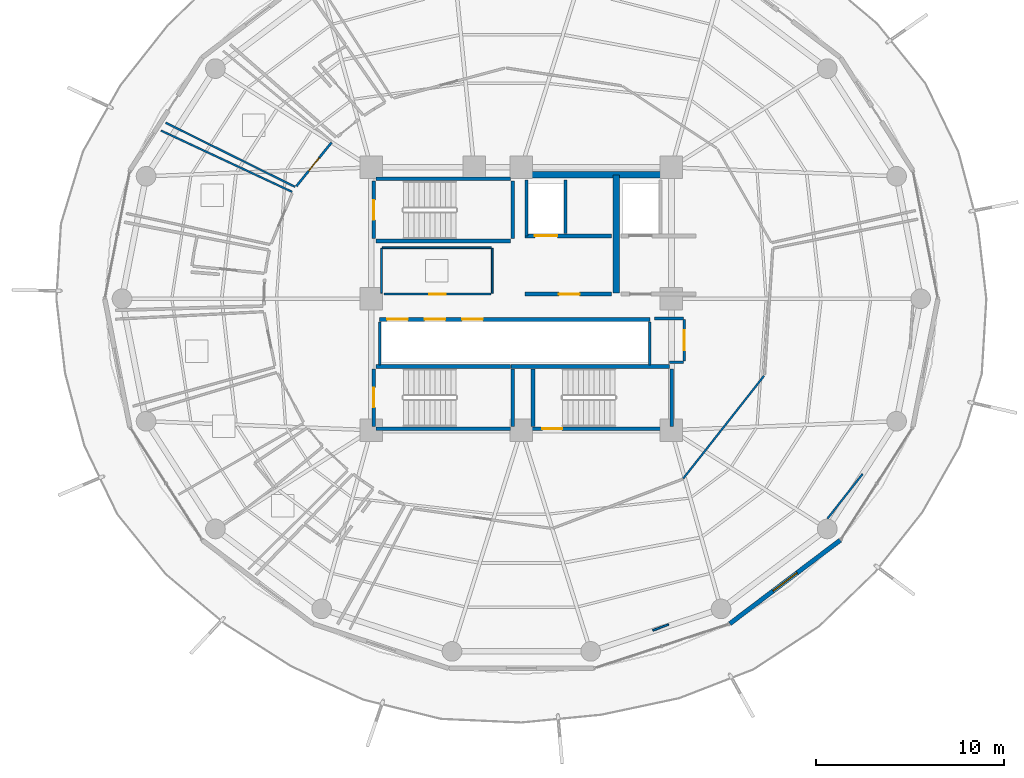
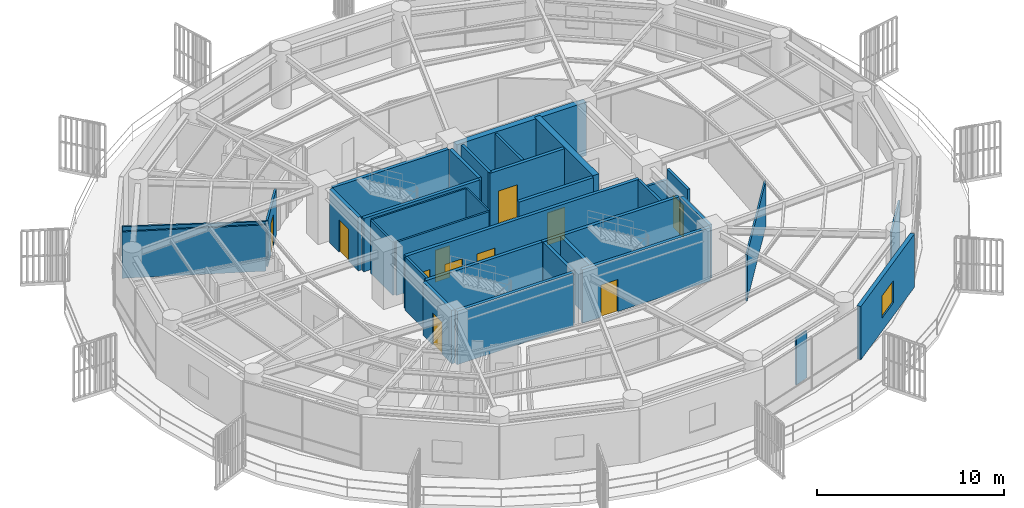
# One storey, part 24 of 30: 35 walls, 11 doors, 1 window, 12 openings.
"""IFC4 building model written with IfcOpenShell, lengths in metres."""

from ifc_helpers import new_model, si_unit, direction, frame, frame_2d, origin, place, context, subcontext, project, spatial, rectangle, extrude, material, layer, layer_set, type_object, element, fill, save


model = new_model("IFC4")

# Units and contexts
model_context = context("Model", 3, precision=1e-05, world=origin(), true_north=direction((0.0, 1.0)))
body_context = subcontext(model_context, "Body", "Model", "MODEL_VIEW")
ifc_project = project(units=[si_unit("LENGTHUNIT", "METRE"), si_unit("AREAUNIT", "SQUARE_METRE"), si_unit("VOLUMEUNIT", "CUBIC_METRE"), si_unit("PLANEANGLEUNIT", "RADIAN"), si_unit("MASSUNIT", "GRAM", prefix="KILO")], contexts=[model_context])

# Site, building, storey
site_placement = place(None, origin())
site = spatial("IfcSite", under=ifc_project, at=site_placement, CompositionType="ELEMENT")
building_placement = place(site_placement, origin())
building = spatial("IfcBuilding", under=site, at=building_placement, Name="Kelanora Arch Commons", CompositionType="ELEMENT")
storey_placement = place(building_placement, frame((0.0, 0.0, 204.449951171875)))
storey = spatial("IfcBuildingStorey", under=building, at=storey_placement, Name="L52", CompositionType="ELEMENT", Elevation=204.449951171875)

# Walls
ifc_material_1 = material(Name="Autoclaved aerated concrete blockwork with fire plaster", Category="masonry")
ifc_layer_1 = layer(ifc_material_1, 0.14990234375)
ifc_layer_set_1 = layer_set([ifc_layer_1], Name="Autoclaved aerated concrete blockwork with fire plaster")
wall_type_1 = type_object("IfcWallType", Name="W-COMP-150", PredefinedType="PARTITIONING", material=ifc_layer_set_1)
wall_1_placement = place(storey_placement, frame((74.280029296875, 61.35009765625, 0.0), z_axis=(0.0, 0.0, 1.0), x_axis=(0.0, 1.0, 0.0)))
element("IfcWall", 1, at=wall_1_placement, inside=storey, type_object=wall_type_1, Name="Firefighting Lift 1 West Shaft Wall L52", PredefinedType="PARTITIONING", context=body_context, shape_type="SweptSolid", body=[
    extrude(rectangle(XDim=2.969970703125, YDim=0.14990234375, at=frame_2d((1.48486328125, 0.0))), origin(), (0.0, 0.0, 1.0), 3.47998046875),
])
wall_2_placement = place(storey_placement, frame((76.360107421875, 61.47998046875, 0.0), z_axis=(0.0, 0.0, 1.0), x_axis=(0.0, 1.0, 0.0)))
element("IfcWall", 2, at=wall_2_placement, inside=storey, type_object=wall_type_1, Name="Firefighting Lift 1 East Shaft Wall L52", PredefinedType="PARTITIONING", context=body_context, shape_type="SweptSolid", body=[
    extrude(rectangle(XDim=2.840087890625, YDim=0.14990234375, at=frame_2d((1.419921875, 0.0))), origin(), (0.0, 0.0, 1.0), 3.47998046875),
])
for number, where, z_axis, x_axis, name in (
    (3, (66.4599609375, 54.47998046875, 0.0), (0.0, 0.0, 1.0), (0.0, 1.0, 0.0), "South Lift Bank West Wall L52"),
    (4, (80.840087890625, 54.47998046875, 0.0), (0.0, 0.0, 1.0), (0.0, 1.0, 0.0), "South Lift Bank East Wall L52"),
):
    element("IfcWall", number, at=place(storey_placement, frame(where, z_axis=z_axis, x_axis=x_axis)), inside=storey, type_object=wall_type_1, Name=name, PredefinedType="PARTITIONING", context=body_context, shape_type="SweptSolid", body=[
        extrude(rectangle(XDim=2.2900390625, YDim=0.14990234375, at=frame_2d((1.14501953125, 0.0))), origin(), (0.0, 0.0, 1.0), 3.47998046875),
    ])

# Wall, opening, door
wall_3_placement = place(storey_placement, frame((82.679931640625, 54.679931640625, 0.0), z_axis=(0.0, 0.0, 1.0), x_axis=(0.0, 1.0, 0.0)))
wall_3 = element("IfcWall", 5, at=wall_3_placement, inside=storey, type_object=wall_type_1, Name="Core Housekeeping Store L52 Entry Partition", PredefinedType="PARTITIONING", context=body_context, shape_type="SweptSolid", body=[
    extrude(rectangle(XDim=2.2099609375, YDim=0.14990234375, at=frame_2d((1.10498046875, 0.0))), origin(), (0.0, 0.0, 1.0), 3.47998046875),
])
opening_1_placement = place(wall_3_placement, frame((0.56494140625, 0.0, 0.0)))
opening_1 = element("IfcOpeningElement", 6, at=opening_1_placement, cuts=wall_3, Name="Opening D-PLT1", PredefinedType="OPENING", context=body_context, shape_type="SweptSolid", body=[
    extrude(rectangle(XDim=1.080078125, YDim=2.10009765625, at=frame_2d((0.5400390625, 1.050048828125))), frame((0.0, 0.0849609375, 0.0), z_axis=(0.0, -1.0, 0.0), x_axis=(1.0, 0.0, 0.0)), (0.0, 0.0, 1.0), 0.169921875),
])
ifc_material_2 = material(Name="Galvanised steel plant and riser fire door", Category="steel")
door_type_1 = type_object("IfcDoorType", Name="D-PLT-110", OperationType="NOTDEFINED", PredefinedType="DOOR", material=ifc_material_2)
door_1_placement = place(opening_1_placement, origin())
door_1 = element("IfcDoor", 7, at=door_1_placement, inside=storey, type_object=door_type_1, Name="Core Housekeeping Store L52 Door", OperationType="SINGLE_SWING_RIGHT", OverallHeight=2.10009765625, OverallWidth=1.080078125, PredefinedType="DOOR", context=body_context, shape_type="SweptSolid", body=[
    extrude(rectangle(XDim=1.080078125, YDim=2.10009765625, at=frame_2d((0.5400390625, 1.050048828125))), frame((0.0, 0.02490234375, 0.0), z_axis=(0.0, -1.0, 0.0), x_axis=(1.0, 0.0, 0.0)), (0.0, 0.0, 1.0), 0.050048828125),
])
fill(opening_1, door_1)

# Walls
wall_4_placement = place(storey_placement, frame((81.89990234375, 54.6201171875, 0.0), z_axis=(0.0, 0.0, 1.0), x_axis=(1.0, 0.0, 0.0)))
element("IfcWall", 8, at=wall_4_placement, inside=storey, type_object=wall_type_1, Name="Core Housekeeping Store L52 Enclosure Partition 1", PredefinedType="PARTITIONING", context=body_context, shape_type="SweptSolid", body=[
    extrude(rectangle(XDim=0.739990234375, YDim=0.14990234375, at=frame_2d((0.3701171875, 0.0))), origin(), (0.0, 0.0, 1.0), 2.775146484375),
])
wall_5_placement = place(storey_placement, frame((82.639892578125, 56.949951171875, 0.0), z_axis=(0.0, 0.0, 1.0), x_axis=(-1.0, 0.0, 0.0)))
element("IfcWall", 9, at=wall_5_placement, inside=storey, type_object=wall_type_1, Name="Core Housekeeping Store L52 Enclosure Partition 3", PredefinedType="PARTITIONING", context=body_context, shape_type="SweptSolid", body=[
    extrude(rectangle(XDim=1.5498046875, YDim=0.14990234375, at=frame_2d((0.77490234375, 0.0))), origin(), (0.0, 0.0, 1.0), 2.775146484375),
])
ifc_material_3 = material(Name="Concrete C50/60", Category="concrete")
ifc_layer_2 = layer(ifc_material_3, 0.35009765625)
ifc_layer_set_2 = layer_set([ifc_layer_2], Name="Concrete C50/60")
wall_type_2 = type_object("IfcWallType", Name="W-CORE-350", PredefinedType="SHEAR", material=ifc_layer_set_2)
wall_6_placement = place(storey_placement, frame((74.0, 64.60009765625, 0.0), z_axis=(0.0, 0.0, 1.0), x_axis=(1.0, 0.0, 0.0)))
element("IfcWall", 10, at=wall_6_placement, inside=storey, type_object=wall_type_2, Name="Core Shear Spine L52-CN-E", PredefinedType="SHEAR", context=body_context, shape_type="SweptSolid", body=[
    extrude(rectangle(XDim=8.0, YDim=0.35009765625, at=frame_2d((4.0, 0.0))), origin(), (0.0, 0.0, 1.0), 3.489990234375),
])
wall_7_placement = place(storey_placement, frame((79.050048828125, 58.300048828125, 0.0), z_axis=(0.0, 0.0, 1.0), x_axis=(0.0, 1.0, 0.0)))
element("IfcWall", 11, at=wall_7_placement, inside=storey, type_object=wall_type_2, Name="Core Shear Spine L52-CE-N", PredefinedType="SHEAR", context=body_context, shape_type="SweptSolid", body=[
    extrude(rectangle(XDim=6.300048828125, YDim=0.35009765625, at=frame_2d((3.14990234375, 0.0))), origin(), (0.0, 0.0, 1.0), 3.489990234375),
])

# Wall, opening, window
ifc_material_4 = material(Name="Precast concrete C40/50 upper-zone terracotta rainscreen", Category="masonry")
ifc_layer_3 = layer(ifc_material_4, 0.239990234375)
ifc_layer_set_3 = layer_set([ifc_layer_3], Name="Precast concrete C40/50 upper-zone terracotta rainscreen")
wall_type_3 = type_object("IfcWallType", Name="W-EXT-TC2", PredefinedType="SOLIDWALL", material=ifc_layer_set_3)
wall_8_placement = place(storey_placement, frame((85.112060546875, 40.6884765625, 0.0), z_axis=(0.0, 0.0, 1.0), x_axis=(0.797701674595, 0.603052268338, 0.0)))
wall_8 = element("IfcWall", 12, at=wall_8_placement, inside=storey, type_object=wall_type_3, Name="Terracotta Exterior Wall L52-B15", PredefinedType="SOLIDWALL", context=body_context, shape_type="SweptSolid", body=[
    extrude(rectangle(XDim=7.373779296875, YDim=0.239990234375, at=frame_2d((3.68701171875, 0.0))), origin(), (0.0, 0.0, 1.0), 3.47509765625),
])
opening_2_placement = place(wall_8_placement, frame((2.886962890625, 0.0, 0.85009765625)))
opening_2 = element("IfcOpeningElement", 13, at=opening_2_placement, cuts=wall_8, Name="Opening WN-01", PredefinedType="OPENING", context=body_context, shape_type="SweptSolid", body=[
    extrude(rectangle(XDim=1.60009765625, YDim=1.449951171875, at=frame_2d((0.800048828125, 0.72509765625))), frame((0.0, 0.1298828125, 0.0), z_axis=(0.0, -1.0, 0.0), x_axis=(1.0, 0.0, 0.0)), (0.0, 0.0, 1.0), 0.260009765625),
])
ifc_material_5 = material(Name="Terracotta-anodised aluminium frame with operable low-E glazing", Category="masonry")
window_type = type_object("IfcWindowType", Name="WIN-CL-18", PartitioningType="DOUBLE_PANEL_VERTICAL", PredefinedType="WINDOW", material=ifc_material_5)
window_placement = place(opening_2_placement, origin())
window = element("IfcWindow", 14, at=window_placement, inside=storey, type_object=window_type, Name="Co-Living Operable Window L52-B15", OverallHeight=1.449951171875, OverallWidth=1.60009765625, PartitioningType="SINGLE_PANEL", PredefinedType="WINDOW", context=body_context, shape_type="SweptSolid", body=[
    extrude(rectangle(XDim=1.60009765625, YDim=1.449951171875, at=frame_2d((0.800048828125, 0.72509765625))), frame((0.0, 0.030029296875, 0.0), z_axis=(0.0, -1.0, 0.0), x_axis=(1.0, 0.0, 0.0)), (0.0, 0.0, 1.0), 0.06005859375),
])
fill(opening_2, window)

# Wall, opening, door
ifc_material_6 = material(Name="Concrete C40/50", Category="concrete")
ifc_layer_4 = layer(ifc_material_6, 0.199951171875)
ifc_layer_set_4 = layer_set([ifc_layer_4], Name="Concrete C40/50")
wall_type_4 = type_object("IfcWallType", Name="W-FFL-200", PredefinedType="SOLIDWALL", material=ifc_layer_set_4)
wall_9_placement = place(storey_placement, frame((74.199951171875, 61.35009765625, 0.0), z_axis=(0.0, 0.0, 1.0), x_axis=(1.0, 0.0, 0.0)))
wall_9 = element("IfcWall", 15, at=wall_9_placement, inside=storey, type_object=wall_type_4, Name="Firefighting Lift 1 Shaft Front L52", PredefinedType="SOLIDWALL", context=body_context, shape_type="SweptSolid", body=[
    extrude(rectangle(XDim=4.60009765625, YDim=0.199951171875, at=frame_2d((2.300048828125, 0.0))), origin(), (0.0, 0.0, 1.0), 3.47998046875),
])
opening_3_placement = place(wall_9_placement, frame((0.52001953125, 0.0, 0.0)))
opening_3 = element("IfcOpeningElement", 16, at=opening_3_placement, cuts=wall_9, Name="Opening LD-FF", PredefinedType="OPENING", context=body_context, shape_type="SweptSolid", body=[
    extrude(rectangle(XDim=1.199951171875, YDim=2.14990234375, at=frame_2d((0.60009765625, 1.074951171875))), frame((0.0, 0.10986328125, 0.0), z_axis=(0.0, -1.0, 0.0), x_axis=(1.0, 0.0, 0.0)), (0.0, 0.0, 1.0), 0.219970703125),
])
ifc_material_7 = material(Name="Fire-rated firefighters lift sliding landing door")
door_type_2 = type_object("IfcDoorType", Name="D-LIFT-FF", OperationType="NOTDEFINED", PredefinedType="DOOR", material=ifc_material_7)
door_2_placement = place(opening_3_placement, origin())
door_2 = element("IfcDoor", 17, at=door_2_placement, inside=storey, type_object=door_type_2, Name="Firefighting Lift LF-FF1 Landing Door L52", OperationType="DOUBLE_DOOR_SLIDING", OverallHeight=2.14990234375, OverallWidth=1.199951171875, PredefinedType="DOOR", context=body_context, shape_type="SweptSolid", body=[
    extrude(rectangle(XDim=1.199951171875, YDim=2.14990234375, at=frame_2d((0.60009765625, 1.074951171875))), frame((0.0, 0.02490234375, 0.0), z_axis=(0.0, -1.0, 0.0), x_axis=(1.0, 0.0, 0.0)), (0.0, 0.0, 1.0), 0.050048828125),
])
fill(opening_3, door_2)

wall_10_placement = place(storey_placement, frame((74.199951171875, 58.25, 0.0), z_axis=(0.0, 0.0, 1.0), x_axis=(1.0, 0.0, 0.0)))
wall_10 = element("IfcWall", 18, at=wall_10_placement, inside=storey, type_object=wall_type_4, Name="Firefighting Lobby 1 Enclosure Wall L52", PredefinedType="SOLIDWALL", context=body_context, shape_type="SweptSolid", body=[
    extrude(rectangle(XDim=4.60009765625, YDim=0.199951171875, at=frame_2d((2.300048828125, 0.0))), origin(), (0.0, 0.0, 1.0), 3.47998046875),
])
opening_4_placement = place(wall_10_placement, frame((1.800048828125, 0.0, 0.0)))
opening_4 = element("IfcOpeningElement", 19, at=opening_4_placement, cuts=wall_10, Name="Opening D-FFL1", PredefinedType="OPENING", context=body_context, shape_type="SweptSolid", body=[
    extrude(rectangle(XDim=1.10009765625, YDim=2.10009765625, at=frame_2d((0.550048828125, 1.050048828125))), frame((0.0, 0.10986328125, 0.0), z_axis=(0.0, -1.0, 0.0), x_axis=(1.0, 0.0, 0.0)), (0.0, 0.0, 1.0), 0.219970703125),
])
ifc_material_8 = material(Name="Smoke-sealed firefighting lobby fire door")
door_type_3 = type_object("IfcDoorType", Name="D-FFL-110", OperationType="NOTDEFINED", PredefinedType="DOOR", material=ifc_material_8)
door_3_placement = place(opening_4_placement, frame((1.10009765625, 0.0, 0.0), z_axis=(0.0, 0.0, 1.0), x_axis=(-1.0, 0.0, 0.0)))
door_3 = element("IfcDoor", 20, at=door_3_placement, inside=storey, type_object=door_type_3, Name="Firefighting Lobby 1 Door L52", OperationType="SINGLE_SWING_LEFT", OverallHeight=2.10009765625, OverallWidth=1.10009765625, PredefinedType="DOOR", context=body_context, shape_type="SweptSolid", body=[
    extrude(rectangle(XDim=1.10009765625, YDim=2.10009765625, at=frame_2d((0.550048828125, 1.050048828125))), frame((0.0, 0.02490234375, 0.0), z_axis=(0.0, -1.0, 0.0), x_axis=(1.0, 0.0, 0.0)), (0.0, 0.0, 1.0), 0.050048828125),
])
fill(opening_4, door_3)

# Wall, openings, doors
wall_11_placement = place(storey_placement, frame((66.449951171875, 56.89990234375, 0.0), z_axis=(0.0, 0.0, 1.0), x_axis=(1.0, 0.0, 0.0)))
wall_11 = element("IfcWall", 21, at=wall_11_placement, inside=storey, type_object=wall_type_4, Name="Mid/High/Express Lift Shaft Front L52", PredefinedType="SOLIDWALL", context=body_context, shape_type="SweptSolid", body=[
    extrude(rectangle(XDim=14.400146484375, YDim=0.199951171875, at=frame_2d((7.2001953125, 0.0))), origin(), (0.0, 0.0, 1.0), 3.47998046875),
])
opening_5_placement = place(wall_11_placement, frame((0.39990234375, 0.0, 0.0)))
opening_5 = element("IfcOpeningElement", 22, at=opening_5_placement, cuts=wall_11, Name="Opening LD-01", PredefinedType="OPENING", context=body_context, shape_type="SweptSolid", body=[
    extrude(rectangle(XDim=1.10009765625, YDim=2.10009765625, at=frame_2d((0.550048828125, 1.050048828125))), frame((0.0, 0.10986328125, 0.0), z_axis=(0.0, -1.0, 0.0), x_axis=(1.0, 0.0, 0.0)), (0.0, 0.0, 1.0), 0.219970703125),
])
opening_6_placement = place(wall_11_placement, frame((2.39990234375, 0.0, 0.0)))
opening_6 = element("IfcOpeningElement", 23, at=opening_6_placement, cuts=wall_11, Name="Opening LD-01", PredefinedType="OPENING", context=body_context, shape_type="SweptSolid", body=[
    extrude(rectangle(XDim=1.10009765625, YDim=2.10009765625, at=frame_2d((0.550048828125, 1.050048828125))), frame((0.0, 0.10986328125, 0.0), z_axis=(0.0, -1.0, 0.0), x_axis=(1.0, 0.0, 0.0)), (0.0, 0.0, 1.0), 0.219970703125),
])
opening_7_placement = place(wall_11_placement, frame((4.39990234375, 0.0, 0.0)))
opening_7 = element("IfcOpeningElement", 24, at=opening_7_placement, cuts=wall_11, Name="Opening LD-01", PredefinedType="OPENING", context=body_context, shape_type="SweptSolid", body=[
    extrude(rectangle(XDim=1.10009765625, YDim=2.10009765625, at=frame_2d((0.550048828125, 1.050048828125))), frame((0.0, 0.10986328125, 0.0), z_axis=(0.0, -1.0, 0.0), x_axis=(1.0, 0.0, 0.0)), (0.0, 0.0, 1.0), 0.219970703125),
])
ifc_material_9 = material(Name="Stainless steel passenger lift sliding landing door", Category="steel")
door_type_4 = type_object("IfcDoorType", Name="D-LIFT-110", OperationType="NOTDEFINED", PredefinedType="DOOR", material=ifc_material_9)
door_4_placement = place(opening_5_placement, origin())
door_4 = element("IfcDoor", 25, at=door_4_placement, inside=storey, type_object=door_type_4, Name="Passenger Lift LF-P4 Landing Door L52", OperationType="DOUBLE_DOOR_SLIDING", OverallHeight=2.10009765625, OverallWidth=1.10009765625, PredefinedType="DOOR", context=body_context, shape_type="SweptSolid", body=[
    extrude(rectangle(XDim=1.10009765625, YDim=2.10009765625, at=frame_2d((0.550048828125, 1.050048828125))), frame((0.0, 0.02490234375, 0.0), z_axis=(0.0, -1.0, 0.0), x_axis=(1.0, 0.0, 0.0)), (0.0, 0.0, 1.0), 0.050048828125),
])
fill(opening_5, door_4)
door_5_placement = place(opening_6_placement, origin())
door_5 = element("IfcDoor", 26, at=door_5_placement, inside=storey, type_object=door_type_4, Name="Passenger Lift LF-P5 Landing Door L52", OperationType="DOUBLE_DOOR_SLIDING", OverallHeight=2.10009765625, OverallWidth=1.10009765625, PredefinedType="DOOR", context=body_context, shape_type="SweptSolid", body=[
    extrude(rectangle(XDim=1.10009765625, YDim=2.10009765625, at=frame_2d((0.550048828125, 1.050048828125))), frame((0.0, 0.02490234375, 0.0), z_axis=(0.0, -1.0, 0.0), x_axis=(1.0, 0.0, 0.0)), (0.0, 0.0, 1.0), 0.050048828125),
])
fill(opening_6, door_5)
door_6_placement = place(opening_7_placement, origin())
door_6 = element("IfcDoor", 27, at=door_6_placement, inside=storey, type_object=door_type_4, Name="Passenger Lift LF-P6 Landing Door L52", OperationType="DOUBLE_DOOR_SLIDING", OverallHeight=2.10009765625, OverallWidth=1.10009765625, PredefinedType="DOOR", context=body_context, shape_type="SweptSolid", body=[
    extrude(rectangle(XDim=1.10009765625, YDim=2.10009765625, at=frame_2d((0.550048828125, 1.050048828125))), frame((0.0, 0.02490234375, 0.0), z_axis=(0.0, -1.0, 0.0), x_axis=(1.0, 0.0, 0.0)), (0.0, 0.0, 1.0), 0.050048828125),
])
fill(opening_7, door_6)

# Walls
ifc_material_10 = material(Name="Lightweight fire-rated acoustic stud partition")
ifc_layer_5 = layer(ifc_material_10, 0.10009765625)
ifc_layer_set_5 = layer_set([ifc_layer_5], Name="Lightweight fire-rated acoustic stud partition")
wall_type_5 = type_object("IfcWallType", Name="W-PART-100", PredefinedType="PARTITIONING", material=ifc_layer_set_5)
wall_12_placement = place(storey_placement, frame((72.449951171875, 58.2900390625, 0.0), z_axis=(0.0, 0.0, 1.0), x_axis=(0.0, 1.0, 0.0)))
element("IfcWall", 28, at=wall_12_placement, inside=storey, type_object=wall_type_5, Name="Reclaimed Core Study Pod Lounge L52 Enclosure Partition 2", PredefinedType="PARTITIONING", context=body_context, shape_type="SweptSolid", body=[
    extrude(rectangle(XDim=2.389892578125, YDim=0.10009765625, at=frame_2d((1.19482421875, 0.0))), origin(), (0.0, 0.0, 1.0), 3.47998046875),
])
wall_13_placement = place(storey_placement, frame((72.409912109375, 60.719970703125, 0.0), z_axis=(0.0, 0.0, 1.0), x_axis=(-1.0, 0.0, 0.0)))
element("IfcWall", 29, at=wall_13_placement, inside=storey, type_object=wall_type_5, Name="Reclaimed Core Study Pod Lounge L52 Enclosure Partition 3", PredefinedType="PARTITIONING", context=body_context, shape_type="SweptSolid", body=[
    extrude(rectangle(XDim=5.81982421875, YDim=0.10009765625, at=frame_2d((2.909912109375, 0.0))), origin(), (0.0, 0.0, 1.0), 3.47998046875),
])
wall_14_placement = place(storey_placement, frame((66.550048828125, 60.679931640625, 0.0), z_axis=(0.0, 0.0, 1.0), x_axis=(0.0, -1.0, 0.0)))
element("IfcWall", 30, at=wall_14_placement, inside=storey, type_object=wall_type_5, Name="Reclaimed Core Study Pod Lounge L52 Enclosure Partition 4", PredefinedType="PARTITIONING", context=body_context, shape_type="SweptSolid", body=[
    extrude(rectangle(XDim=2.383056640625, YDim=0.10009765625, at=frame_2d((1.19140625, 0.0))), origin(), (0.0, 0.0, 1.0), 3.47998046875),
])
wall_15_placement = place(storey_placement, frame((82.627685546875, 48.42236328125, 0.0), z_axis=(0.0, 0.0, 1.0), x_axis=(0.618431543907, 0.785838676511, 0.0)))
element("IfcWall", 31, at=wall_15_placement, inside=storey, type_object=wall_type_5, Name="South-East Social Sky Lounge L52 Enclosure Partition 3", PredefinedType="PARTITIONING", context=body_context, shape_type="SweptSolid", body=[
    extrude(rectangle(XDim=6.962158203125, YDim=0.10009765625, at=frame_2d((3.48095703125, 0.0))), origin(), (0.0, 0.0, 1.0), 3.025146484375),
])
wall_16_placement = place(storey_placement, frame((92.189697265625, 48.6728515625, 0.0), z_axis=(0.0, 0.0, 1.0), x_axis=(-0.618194217541, -0.786025387249, 0.0)))
element("IfcWall", 32, at=wall_16_placement, inside=storey, type_object=wall_type_5, Name="South-East Social Sky Lounge L52 Enclosure Partition 7", PredefinedType="PARTITIONING", context=body_context, shape_type="SweptSolid", body=[
    extrude(rectangle(XDim=3.037353515625, YDim=0.10009765625, at=frame_2d((1.5185546875, 0.0))), origin(), (0.0, 0.0, 1.0), 3.074951171875),
])
wall_17_placement = place(storey_placement, frame((81.8486328125, 40.646240234375, 0.0), z_axis=(0.0, 0.0, 1.0), x_axis=(-0.935240492297, -0.354013024574, 0.0)))
element("IfcWall", 33, at=wall_17_placement, inside=storey, type_object=wall_type_5, Name="South-East Social Sky Lounge L52 Enclosure Partition 8", PredefinedType="PARTITIONING", context=body_context, shape_type="SweptSolid", body=[
    extrude(rectangle(XDim=0.906982421875, YDim=0.10009765625, at=frame_2d((0.45361328125, 0.0))), origin(), (0.0, 0.0, 1.0), 3.074951171875),
])
wall_18_placement = place(storey_placement, frame((61.938232421875, 63.966796875, 0.0), z_axis=(0.0, 0.0, 1.0), x_axis=(-0.896052906747, 0.443947281003, 0.0)))
element("IfcWall", 34, at=wall_18_placement, inside=storey, type_object=wall_type_5, Name="Social Sky Lounge L52-02 Enclosure Partition 2", PredefinedType="PARTITIONING", context=body_context, shape_type="SweptSolid", body=[
    extrude(rectangle(XDim=7.690673828125, YDim=0.10009765625, at=frame_2d((3.84521484375, 0.0))), origin(), (0.0, 0.0, 1.0), 3.025146484375),
])
wall_19_placement = place(storey_placement, frame((54.797119140625, 66.963134765625, 0.0), z_axis=(0.0, 0.0, 1.0), x_axis=(0.906002589331, -0.423272144283, 0.0)))
element("IfcWall", 35, at=wall_19_placement, inside=storey, type_object=wall_type_5, Name="Quiet Seminar Study Room L52-03 Enclosure Partition 4", PredefinedType="PARTITIONING", context=body_context, shape_type="SweptSolid", body=[
    extrude(rectangle(XDim=7.70703125, YDim=0.10009765625, at=frame_2d((3.853515625, 0.0))), origin(), (0.0, 0.0, 1.0), 3.025146484375),
])

# Wall, opening, door
ifc_material_11 = material(Name="Acoustic twin-stud fire-rated gypsum partition")
ifc_layer_6 = layer(ifc_material_11, 0.1201171875)
ifc_layer_set_6 = layer_set([ifc_layer_6], Name="Acoustic twin-stud fire-rated gypsum partition")
wall_type_6 = type_object("IfcWallType", Name="W-PART-120", PredefinedType="PARTITIONING", material=ifc_layer_set_6)
wall_20_placement = place(storey_placement, frame((66.67529296875, 58.25, 0.0), z_axis=(0.0, 0.0, 1.0), x_axis=(1.0, 0.0, 0.0)))
wall_20 = element("IfcWall", 36, at=wall_20_placement, inside=storey, type_object=wall_type_6, Name="Reclaimed Core Study Pod Lounge L52 Entry Partition", PredefinedType="PARTITIONING", context=body_context, shape_type="SweptSolid", body=[
    extrude(rectangle(XDim=5.714599609375, YDim=0.1201171875, at=frame_2d((2.857421875, 0.0))), origin(), (0.0, 0.0, 1.0), 3.47998046875),
])
opening_8_placement = place(wall_20_placement, frame((2.406982421875, 0.0, 0.0)))
opening_8 = element("IfcOpeningElement", 37, at=opening_8_placement, cuts=wall_20, Name="Opening D-RM1", PredefinedType="OPENING", context=body_context, shape_type="SweptSolid", body=[
    extrude(rectangle(XDim=0.89990234375, YDim=2.080078125, at=frame_2d((0.449951171875, 1.0400390625))), frame((0.0, 0.070068359375, 0.0), z_axis=(0.0, -1.0, 0.0), x_axis=(1.0, 0.0, 0.0)), (0.0, 0.0, 1.0), 0.14013671875),
])
ifc_material_12 = material(Name="Acoustic fire-rated timber study and lounge door", Category="wood")
door_type_5 = type_object("IfcDoorType", Name="D-ROOM-90", OperationType="NOTDEFINED", PredefinedType="DOOR", material=ifc_material_12)
door_7_placement = place(opening_8_placement, origin())
door_7 = element("IfcDoor", 38, at=door_7_placement, inside=storey, type_object=door_type_5, Name="Reclaimed Core Study Pod Lounge L52 Door", OperationType="SINGLE_SWING_LEFT", OverallHeight=2.080078125, OverallWidth=0.89990234375, PredefinedType="DOOR", context=body_context, shape_type="SweptSolid", body=[
    extrude(rectangle(XDim=0.89990234375, YDim=2.080078125, at=frame_2d((0.449951171875, 1.0400390625))), frame((0.0, 0.02490234375, 0.0), z_axis=(0.0, -1.0, 0.0), x_axis=(1.0, 0.0, 0.0)), (0.0, 0.0, 1.0), 0.050048828125),
])
fill(opening_8, door_7)

wall_21_placement = place(storey_placement, frame((63.884521484375, 66.3271484375, 0.0), z_axis=(0.0, 0.0, 1.0), x_axis=(-0.626276824741, -0.779600756023, 0.0)))
wall_21 = element("IfcWall", 39, at=wall_21_placement, inside=storey, type_object=wall_type_6, Name="Social Sky Lounge L52-02 Entry Partition", PredefinedType="PARTITIONING", context=body_context, shape_type="SweptSolid", body=[
    extrude(rectangle(XDim=2.990478515625, YDim=0.1201171875, at=frame_2d((1.4951171875, 0.0))), origin(), (0.0, 0.0, 1.0), 3.025146484375),
])
opening_9_placement = place(wall_21_placement, frame((1.044921875, 0.0, 0.0)))
opening_9 = element("IfcOpeningElement", 40, at=opening_9_placement, cuts=wall_21, Name="Opening D-RM1", PredefinedType="OPENING", context=body_context, shape_type="SweptSolid", body=[
    extrude(rectangle(XDim=0.89990234375, YDim=2.080078125, at=frame_2d((0.449951171875, 1.0400390625))), frame((0.0, 0.070068359375, 0.0), z_axis=(0.0, -1.0, 0.0), x_axis=(1.0, 0.0, 0.0)), (0.0, 0.0, 1.0), 0.14013671875),
])
door_8_placement = place(opening_9_placement, origin())
door_8 = element("IfcDoor", 41, at=door_8_placement, inside=storey, type_object=door_type_5, Name="Social Sky Lounge L52-02 Door", OperationType="SINGLE_SWING_RIGHT", OverallHeight=2.080078125, OverallWidth=0.89990234375, PredefinedType="DOOR", context=body_context, shape_type="SweptSolid", body=[
    extrude(rectangle(XDim=0.89990234375, YDim=2.080078125, at=frame_2d((0.449951171875, 1.0400390625))), frame((0.0, 0.02490234375, 0.0), z_axis=(0.0, -1.0, 0.0), x_axis=(1.0, 0.0, 0.0)), (0.0, 0.0, 1.0), 0.050048828125),
])
fill(opening_9, door_8)

# Walls
ifc_layer_7 = layer(ifc_material_6, 0.199951171875)
ifc_layer_set_7 = layer_set([ifc_layer_7], Name="Concrete C40/50")
wall_type_7 = type_object("IfcWallType", Name="W-STAIR-200", PredefinedType="SHEAR", material=ifc_layer_set_7)
wall_22_placement = place(storey_placement, frame((66.260009765625, 61.080078125, 0.0), z_axis=(0.0, 0.0, 1.0), x_axis=(1.0, 0.0, 0.0)))
element("IfcWall", 42, at=wall_22_placement, inside=storey, type_object=wall_type_7, Name="Stair ST-T1 Shaft Wall S L52", PredefinedType="SHEAR", context=body_context, shape_type="SweptSolid", body=[
    extrude(rectangle(XDim=7.159912109375, YDim=0.199951171875, at=frame_2d((3.580078125, 0.0))), origin(), (0.0, 0.0, 1.0), 3.489990234375),
])
wall_23_placement = place(storey_placement, frame((73.5400390625, 61.199951171875, 0.0), z_axis=(0.0, 0.0, 1.0), x_axis=(0.0, 1.0, 0.0)))
element("IfcWall", 43, at=wall_23_placement, inside=storey, type_object=wall_type_7, Name="Stair ST-T1 Shaft Wall E L52", PredefinedType="SHEAR", context=body_context, shape_type="SweptSolid", body=[
    extrude(rectangle(XDim=3.070068359375, YDim=0.199951171875, at=frame_2d((1.53515625, 0.0))), origin(), (0.0, 0.0, 1.0), 3.489990234375),
])
wall_24_placement = place(storey_placement, frame((73.419921875, 64.389892578125, 0.0), z_axis=(0.0, 0.0, 1.0), x_axis=(-1.0, 0.0, 0.0)))
element("IfcWall", 44, at=wall_24_placement, inside=storey, type_object=wall_type_7, Name="Stair ST-T1 Shaft Wall N L52", PredefinedType="SHEAR", context=body_context, shape_type="SweptSolid", body=[
    extrude(rectangle(XDim=7.159912109375, YDim=0.199951171875, at=frame_2d((3.580078125, 0.0))), origin(), (0.0, 0.0, 1.0), 3.489990234375),
])

# Wall, opening, door
wall_25_placement = place(storey_placement, frame((66.139892578125, 64.27001953125, 0.0), z_axis=(0.0, 0.0, 1.0), x_axis=(0.0, -1.0, 0.0)))
wall_25 = element("IfcWall", 45, at=wall_25_placement, inside=storey, type_object=wall_type_7, Name="Stair ST-T1 Shaft Wall W L52", PredefinedType="SHEAR", context=body_context, shape_type="SweptSolid", body=[
    extrude(rectangle(XDim=3.070068359375, YDim=0.199951171875, at=frame_2d((1.53515625, 0.0))), origin(), (0.0, 0.0, 1.0), 3.489990234375),
])
opening_10_placement = place(wall_25_placement, frame((1.010009765625, 0.0, 0.0)))
opening_10 = element("IfcOpeningElement", 46, at=opening_10_placement, cuts=wall_25, Name="Opening D-ST1", PredefinedType="OPENING", context=body_context, shape_type="SweptSolid", body=[
    extrude(rectangle(XDim=1.050048828125, YDim=2.10009765625, at=frame_2d((0.52490234375, 1.050048828125))), frame((0.0, 0.10986328125, 0.0), z_axis=(0.0, -1.0, 0.0), x_axis=(1.0, 0.0, 0.0)), (0.0, 0.0, 1.0), 0.219970703125),
])
ifc_material_13 = material(Name="Steel fire-rated stairwell escape door", Category="steel")
door_type_6 = type_object("IfcDoorType", Name="D-STAIR-110", OperationType="NOTDEFINED", PredefinedType="DOOR", material=ifc_material_13)
door_9_placement = place(opening_10_placement, origin())
door_9 = element("IfcDoor", 47, at=door_9_placement, inside=storey, type_object=door_type_6, Name="Stair ST-T1 Escape Door L52", OperationType="SINGLE_SWING_LEFT", OverallHeight=2.10009765625, OverallWidth=1.050048828125, PredefinedType="DOOR", context=body_context, shape_type="SweptSolid", body=[
    extrude(rectangle(XDim=1.050048828125, YDim=2.10009765625, at=frame_2d((0.52490234375, 1.050048828125))), frame((0.0, 0.02490234375, 0.0), z_axis=(0.0, -1.0, 0.0), x_axis=(1.0, 0.0, 0.0)), (0.0, 0.0, 1.0), 0.050048828125),
])
fill(opening_10, door_9)

wall_26_placement = place(storey_placement, frame((74.0, 51.080078125, 0.0), z_axis=(0.0, 0.0, 1.0), x_axis=(1.0, 0.0, 0.0)))
wall_26 = element("IfcWall", 48, at=wall_26_placement, inside=storey, type_object=wall_type_7, Name="Stair ST-T2 Shaft Wall S L52", PredefinedType="SHEAR", context=body_context, shape_type="SweptSolid", body=[
    extrude(rectangle(XDim=7.89990234375, YDim=0.199951171875, at=frame_2d((3.949951171875, 0.0))), origin(), (0.0, 0.0, 1.0), 3.489990234375),
])
opening_11_placement = place(wall_26_placement, frame((1.1201171875, 0.0, 0.0)))
opening_11 = element("IfcOpeningElement", 49, at=opening_11_placement, cuts=wall_26, Name="Opening D-ST1", PredefinedType="OPENING", context=body_context, shape_type="SweptSolid", body=[
    extrude(rectangle(XDim=1.050048828125, YDim=2.10009765625, at=frame_2d((0.52490234375, 1.050048828125))), frame((0.0, 0.10986328125, 0.0), z_axis=(0.0, -1.0, 0.0), x_axis=(1.0, 0.0, 0.0)), (0.0, 0.0, 1.0), 0.219970703125),
])
door_10_placement = place(opening_11_placement, origin())
door_10 = element("IfcDoor", 50, at=door_10_placement, inside=storey, type_object=door_type_6, Name="Stair ST-T2 Escape Door L52", OperationType="SINGLE_SWING_LEFT", OverallHeight=2.10009765625, OverallWidth=1.050048828125, PredefinedType="DOOR", context=body_context, shape_type="SweptSolid", body=[
    extrude(rectangle(XDim=1.050048828125, YDim=2.10009765625, at=frame_2d((0.52490234375, 1.050048828125))), frame((0.0, 0.02490234375, 0.0), z_axis=(0.0, -1.0, 0.0), x_axis=(1.0, 0.0, 0.0)), (0.0, 0.0, 1.0), 0.050048828125),
])
fill(opening_11, door_10)

# Walls
wall_27_placement = place(storey_placement, frame((82.02001953125, 51.199951171875, 0.0), z_axis=(0.0, 0.0, 1.0), x_axis=(0.0, 1.0, 0.0)))
element("IfcWall", 51, at=wall_27_placement, inside=storey, type_object=wall_type_7, Name="Stair ST-T2 Shaft Wall E L52", PredefinedType="SHEAR", context=body_context, shape_type="SweptSolid", body=[
    extrude(rectangle(XDim=3.070068359375, YDim=0.199951171875, at=frame_2d((1.53515625, 0.0))), origin(), (0.0, 0.0, 1.0), 3.489990234375),
])
wall_28_placement = place(storey_placement, frame((81.89990234375, 54.389892578125, 0.0), z_axis=(0.0, 0.0, 1.0), x_axis=(-1.0, 0.0, 0.0)))
element("IfcWall", 52, at=wall_28_placement, inside=storey, type_object=wall_type_7, Name="Stair ST-T2 Shaft Wall N L52", PredefinedType="SHEAR", context=body_context, shape_type="SweptSolid", body=[
    extrude(rectangle(XDim=8.4599609375, YDim=0.199951171875, at=frame_2d((4.22998046875, 0.0))), origin(), (0.0, 0.0, 1.0), 3.489990234375),
])
wall_29_placement = place(storey_placement, frame((74.6201171875, 54.27001953125, 0.0), z_axis=(0.0, 0.0, 1.0), x_axis=(0.0, -1.0, 0.0)))
element("IfcWall", 53, at=wall_29_placement, inside=storey, type_object=wall_type_7, Name="Stair ST-T2 Shaft Wall W L52", PredefinedType="SHEAR", context=body_context, shape_type="SweptSolid", body=[
    extrude(rectangle(XDim=3.070068359375, YDim=0.199951171875, at=frame_2d((1.53515625, 0.0))), origin(), (0.0, 0.0, 1.0), 3.489990234375),
])
wall_30_placement = place(storey_placement, frame((66.260009765625, 51.080078125, 0.0), z_axis=(0.0, 0.0, 1.0), x_axis=(1.0, 0.0, 0.0)))
element("IfcWall", 54, at=wall_30_placement, inside=storey, type_object=wall_type_7, Name="Stair ST-T3 Shaft Wall S L52", PredefinedType="SHEAR", context=body_context, shape_type="SweptSolid", body=[
    extrude(rectangle(XDim=7.159912109375, YDim=0.199951171875, at=frame_2d((3.580078125, 0.0))), origin(), (0.0, 0.0, 1.0), 3.489990234375),
])
wall_31_placement = place(storey_placement, frame((73.5400390625, 51.199951171875, 0.0), z_axis=(0.0, 0.0, 1.0), x_axis=(0.0, 1.0, 0.0)))
element("IfcWall", 55, at=wall_31_placement, inside=storey, type_object=wall_type_7, Name="Stair ST-T3 Shaft Wall E L52", PredefinedType="SHEAR", context=body_context, shape_type="SweptSolid", body=[
    extrude(rectangle(XDim=3.070068359375, YDim=0.199951171875, at=frame_2d((1.53515625, 0.0))), origin(), (0.0, 0.0, 1.0), 3.489990234375),
])
wall_32_placement = place(storey_placement, frame((73.419921875, 54.389892578125, 0.0), z_axis=(0.0, 0.0, 1.0), x_axis=(-1.0, 0.0, 0.0)))
element("IfcWall", 56, at=wall_32_placement, inside=storey, type_object=wall_type_7, Name="Stair ST-T3 Shaft Wall N L52", PredefinedType="SHEAR", context=body_context, shape_type="SweptSolid", body=[
    extrude(rectangle(XDim=7.159912109375, YDim=0.199951171875, at=frame_2d((3.580078125, 0.0))), origin(), (0.0, 0.0, 1.0), 3.489990234375),
])

# Wall, opening, door
wall_33_placement = place(storey_placement, frame((66.139892578125, 54.27001953125, 0.0), z_axis=(0.0, 0.0, 1.0), x_axis=(0.0, -1.0, 0.0)))
wall_33 = element("IfcWall", 57, at=wall_33_placement, inside=storey, type_object=wall_type_7, Name="Stair ST-T3 Shaft Wall W L52", PredefinedType="SHEAR", context=body_context, shape_type="SweptSolid", body=[
    extrude(rectangle(XDim=3.070068359375, YDim=0.199951171875, at=frame_2d((1.53515625, 0.0))), origin(), (0.0, 0.0, 1.0), 3.489990234375),
])
opening_12_placement = place(wall_33_placement, frame((1.010009765625, 0.0, 0.0)))
opening_12 = element("IfcOpeningElement", 58, at=opening_12_placement, cuts=wall_33, Name="Opening D-ST1", PredefinedType="OPENING", context=body_context, shape_type="SweptSolid", body=[
    extrude(rectangle(XDim=1.050048828125, YDim=2.10009765625, at=frame_2d((0.52490234375, 1.050048828125))), frame((0.0, 0.10986328125, 0.0), z_axis=(0.0, -1.0, 0.0), x_axis=(1.0, 0.0, 0.0)), (0.0, 0.0, 1.0), 0.219970703125),
])
door_11_placement = place(opening_12_placement, origin())
door_11 = element("IfcDoor", 59, at=door_11_placement, inside=storey, type_object=door_type_6, Name="Stair ST-T3 Escape Door L52", OperationType="SINGLE_SWING_LEFT", OverallHeight=2.10009765625, OverallWidth=1.050048828125, PredefinedType="DOOR", context=body_context, shape_type="SweptSolid", body=[
    extrude(rectangle(XDim=1.050048828125, YDim=2.10009765625, at=frame_2d((0.52490234375, 1.050048828125))), frame((0.0, 0.02490234375, 0.0), z_axis=(0.0, -1.0, 0.0), x_axis=(1.0, 0.0, 0.0)), (0.0, 0.0, 1.0), 0.050048828125),
])
fill(opening_12, door_11)

save(model, "model.ifc")
